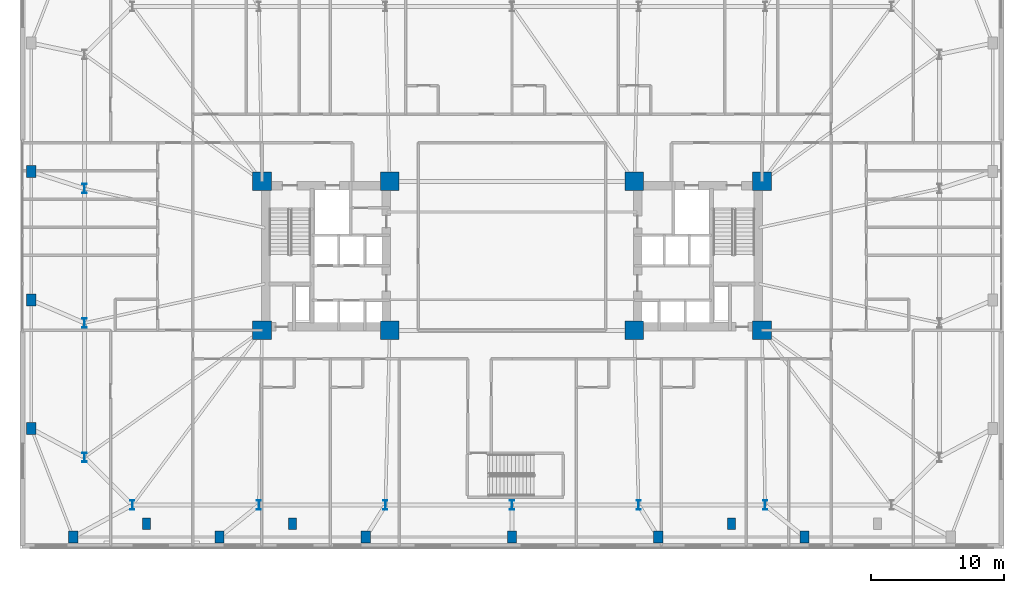
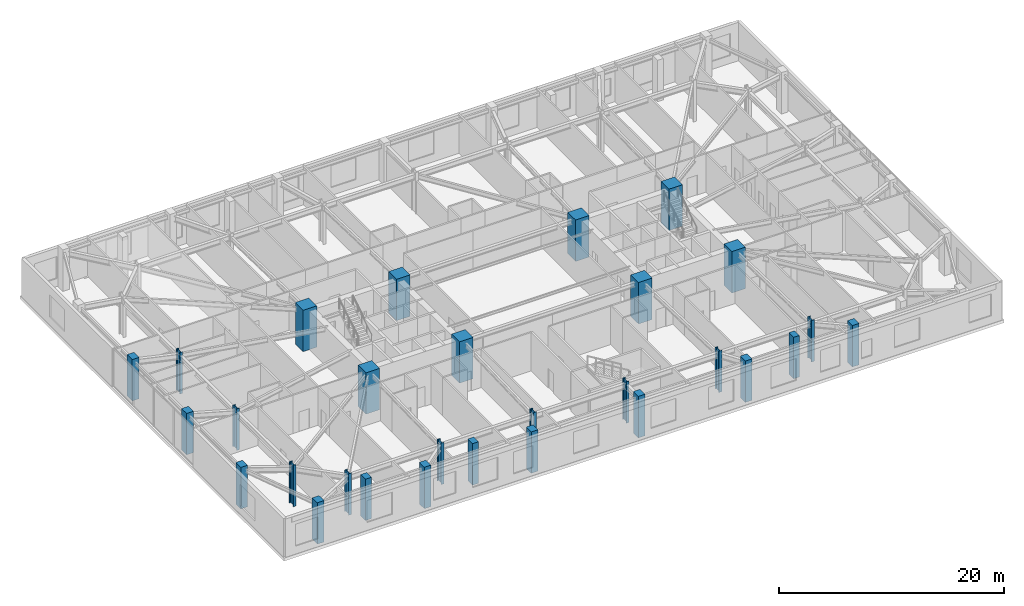
# One storey, part 1 of 21: 29 columns.
"""IFC4 building model written with IfcOpenShell, lengths in metres."""

import ifcopenshell
import ifcopenshell.guid

model = None  # the IFC model being written
_history = None  # IfcOwnerHistory: only IFC2X3 demands one
_inside = {}  # id of a spatial element -> (the spatial element, [elements in it])
_under = {}  # id of a project, library or spatial element -> (it, [spatial elements below it])
_declared = {}  # id of a project -> (the project, [libraries it declares])
_typed = {}  # id of a type object -> (the type object, [elements of that type])
_made_of = {}  # id of a material, layer set ... -> (it, [elements and type objects made of it])


def new_model(schema):
    """Start an empty IFC model of exactly this schema.

    Asked for "IFC4X3", IfcOpenShell would pick the latest addendum, in which some entities
    have other attributes; the version numbers below select the first issue.
    IFC2X3 requires an IfcOwnerHistory on every rooted entity: one is made here for all.
    """
    global model, _history
    if schema == "IFC4X3":
        model = ifcopenshell.file(schema_version=(4, 3, 0, 0))
    else:
        model = ifcopenshell.file(schema=schema)
    _inside.clear()
    _under.clear()
    _declared.clear()
    _typed.clear()
    _made_of.clear()
    _history = None
    if model.schema == "IFC2X3":
        org = make("IfcOrganization", Name="unknown")
        user = make(
            "IfcPersonAndOrganization",
            ThePerson=make("IfcPerson", FamilyName="unknown"),
            TheOrganization=org,
        )
        app = make(
            "IfcApplication",
            ApplicationDeveloper=org,
            Version="unknown",
            ApplicationFullName="unknown",
            ApplicationIdentifier="unknown",
        )
        _history = make(
            "IfcOwnerHistory",
            OwningUser=user,
            OwningApplication=app,
            ChangeAction="ADDED",
            CreationDate=0,
        )
    return model


def make(cls, **values):
    """One entity of the class cls with the attributes given. An attribute that is None is left unset."""
    return model.create_entity(
        cls, **{name: value for name, value in values.items() if value is not None}
    )


def rooted(cls, **values):
    """An entity with a GlobalId (a new one), such as an element, a storey or a relation."""
    return make(cls, GlobalId=ifcopenshell.guid.new(), OwnerHistory=_history, **values)


def si_unit(unit_type, name, prefix=None):
    """IfcSIUnit, for example si_unit("LENGTHUNIT", "METRE", prefix="MILLI")."""
    return make("IfcSIUnit", UnitType=unit_type, Prefix=prefix, Name=name)


def assignment(units):
    """IfcUnitAssignment: the units of a project."""
    return None if units is None else make("IfcUnitAssignment", Units=units)


def point(xyz):
    """IfcCartesianPoint."""
    return None if xyz is None else make("IfcCartesianPoint", Coordinates=xyz)


def direction(xyz):
    """IfcDirection."""
    return None if xyz is None else make("IfcDirection", DirectionRatios=xyz)


def frame(location, z_axis=None, x_axis=None):
    """IfcAxis2Placement3D, a coordinate frame: its origin and axes. An axis left out is left unset."""
    return make(
        "IfcAxis2Placement3D",
        Location=point(location),
        Axis=direction(z_axis),
        RefDirection=direction(x_axis),
    )


def frame_2d(location, x_axis=None):
    """IfcAxis2Placement2D, a coordinate frame in the plane: its origin and x axis."""
    return make(
        "IfcAxis2Placement2D", Location=point(location), RefDirection=direction(x_axis)
    )


def origin():
    """The frame at (0, 0, 0) with its axes left unset."""
    return frame((0.0, 0.0, 0.0))


def origin_2d():
    """The frame at (0, 0) in the plane with its x axis left unset."""
    return frame_2d((0.0, 0.0))


def place(relative_to, where):
    """IfcLocalPlacement: puts the frame where relative to a parent placement (None: the world)."""
    return make(
        "IfcLocalPlacement", PlacementRelTo=relative_to, RelativePlacement=where
    )


def context(
    kind, dimensions, precision=None, world=None, true_north=None, identifier=None
):
    """IfcGeometricRepresentationContext, for example the 3D "Model" context."""
    return make(
        "IfcGeometricRepresentationContext",
        ContextIdentifier=identifier,
        ContextType=kind,
        CoordinateSpaceDimension=dimensions,
        Precision=precision,
        WorldCoordinateSystem=world,
        TrueNorth=true_north,
    )


def subcontext(parent, identifier, kind, view, scale=None):
    """IfcGeometricRepresentationSubContext, for example "Body" below "Model"."""
    return make(
        "IfcGeometricRepresentationSubContext",
        ContextIdentifier=identifier,
        ContextType=kind,
        ParentContext=parent,
        TargetScale=scale,
        TargetView=view,
    )


def project(units=None, contexts=None):
    """IfcProject with its units and contexts."""
    return rooted(
        "IfcProject",
        Name="project",
        RepresentationContexts=contexts,
        UnitsInContext=assignment(units),
    )


def spatial(cls, under=None, at=None, **own):
    """A site, building, storey or space (cls), placed at a placement, below another one or the project."""
    s = rooted(cls, ObjectPlacement=at, **own)
    if under is not None:
        _under.setdefault(under.id(), (under, []))[1].append(s)
    return s


def profile(cls, at=None, kind="AREA", **sizes):
    """A parametric profile (cls). Its sizes go by their IFC names, for example OverallWidth=200.0."""
    return make(cls, ProfileType=kind, Position=at, **sizes)


def rectangle(**sizes):
    """IfcRectangleProfileDef."""
    return profile("IfcRectangleProfileDef", **sizes)


def i_section(**sizes):
    """IfcIShapeProfileDef."""
    return profile("IfcIShapeProfileDef", **sizes)


def extrude(swept, where, along, depth):
    """IfcExtrudedAreaSolid: the profile swept, set in the frame where, extruded along a direction by depth."""
    return make(
        "IfcExtrudedAreaSolid",
        SweptArea=swept,
        Position=where,
        ExtrudedDirection=direction(along),
        Depth=depth,
    )


def shape(context_of_items, identifier, shape_type, items):
    """IfcShapeRepresentation: the items that make up one representation, for example the "Body"."""
    return make(
        "IfcShapeRepresentation",
        ContextOfItems=context_of_items,
        RepresentationIdentifier=identifier,
        RepresentationType=shape_type,
        Items=items,
    )


def material(Name=None, Category=None):
    """IfcMaterial."""
    return make("IfcMaterial", Name=Name, Category=Category)


def material_profile(
    of_material, cross_section, Name=None, Category=None, Priority=None
):
    """IfcMaterialProfile: a cross section and its material."""
    return make(
        "IfcMaterialProfile",
        Name=Name,
        Material=of_material,
        Profile=cross_section,
        Priority=Priority,
        Category=Category,
    )


def profile_set(profiles, Name=None, composite=None):
    """IfcMaterialProfileSet."""
    return make(
        "IfcMaterialProfileSet",
        Name=Name,
        MaterialProfiles=profiles,
        CompositeProfile=composite,
    )


def made_of(thing, what):
    """Note that an element or type object is made of a material, layer set ...; save() writes the relation."""
    if what is not None:
        _made_of.setdefault(what.id(), (what, []))[1].append(thing)
    return thing


def type_object(cls, material=None, **own):
    """A type object (cls), such as IfcWallType, which elements share."""
    return made_of(rooted(cls, **own), material)


def element(
    cls,
    number,
    at=None,
    inside=None,
    cuts=None,
    type_object=None,
    material=None,
    context=None,
    identifier="Body",
    shape_type=None,
    held_by="IfcProductDefinitionShape",
    body=None,
    shapes=None,
    **own,
):
    """One element of the class cls, such as IfcWall. Its Tag is "e" and its number.

    at: its placement. inside: the storey or other place that contains it. cuts: it is an
    opening in that element (IfcRelVoidsElement). A single representation is given by context,
    identifier, shape_type and body (its items); several are given by shapes. held_by: the class
    of the entity that holds the representations. save() writes the other relations.
    """
    e = rooted(cls, Tag="e%d" % number, ObjectPlacement=at, **own)
    if body is not None:
        shapes = [shape(context, identifier, shape_type, body)]
    if shapes is not None:
        e.Representation = make(held_by, Representations=shapes)
    if inside is not None:
        _inside.setdefault(inside.id(), (inside, []))[1].append(e)
    if cuts is not None:
        rooted(
            "IfcRelVoidsElement", RelatingBuildingElement=cuts, RelatedOpeningElement=e
        )
    if type_object is not None:
        _typed.setdefault(type_object.id(), (type_object, []))[1].append(e)
    return made_of(e, material)


def aggregate(whole, parts):
    """IfcRelAggregates: a whole, such as a stair, and the parts it consists of."""
    return rooted("IfcRelAggregates", RelatingObject=whole, RelatedObjects=parts)


def save(model, path):
    """Write the relations noted so far, then the file.

    IfcRelAggregates (storeys below a building ...), IfcRelContainedInSpatialStructure (elements
    in a storey), IfcRelDefinesByType, IfcRelAssociatesMaterial and IfcRelDeclares: one each for
    every whole, place, type object, material and project.
    """
    for whole, parts in _under.values():
        aggregate(whole, parts)
    for where, things in _inside.values():
        rooted(
            "IfcRelContainedInSpatialStructure",
            RelatedElements=things,
            RelatingStructure=where,
        )
    for kind, things in _typed.values():
        rooted("IfcRelDefinesByType", RelatedObjects=things, RelatingType=kind)
    for what, things in _made_of.values():
        rooted("IfcRelAssociatesMaterial", RelatedObjects=things, RelatingMaterial=what)
    for by, libraries in _declared.values():
        rooted("IfcRelDeclares", RelatingContext=by, RelatedDefinitions=libraries)
    model.write(path)


model = new_model("IFC4")

# Units and contexts
model_context = context("Model", 3, precision=1e-05, world=origin(), true_north=direction((0.0, 1.0)))
body_context = subcontext(model_context, "Body", "Model", "MODEL_VIEW")
ifc_project = project(units=[si_unit("LENGTHUNIT", "METRE"), si_unit("AREAUNIT", "SQUARE_METRE"), si_unit("VOLUMEUNIT", "CUBIC_METRE"), si_unit("PLANEANGLEUNIT", "RADIAN"), si_unit("MASSUNIT", "GRAM", prefix="KILO")], contexts=[model_context])

# Site, building, storey
site_placement = place(None, origin())
site = spatial("IfcSite", under=ifc_project, at=site_placement, CompositionType="ELEMENT")
building_placement = place(site_placement, origin())
building = spatial("IfcBuilding", under=site, at=building_placement, Name="Qobustan Lattice House", CompositionType="ELEMENT")
storey_placement = place(building_placement, frame((0.0, 0.0, 18.0)))
storey = spatial("IfcBuildingStorey", under=building, at=storey_placement, Name="L04", CompositionType="ELEMENT", Elevation=18.0)

# Columns
ifc_material_1 = material(Name="Concrete C50/60", Category="concrete")
ifc_material_profile_1 = material_profile(ifc_material_1, rectangle(XDim=0.60009765625, YDim=0.85009765625, at=origin_2d()), Name="RC600x850")
ifc_profile_set_1 = profile_set([ifc_material_profile_1], Name="Concrete C50/60")
column_type_1 = type_object("IfcColumnType", Name="COL-PIL-600x850", PredefinedType="PILASTER", material=ifc_profile_set_1)
for number, where, z_axis, x_axis, name in (
    (1, (-27.5, -20.14990234375, 0.0), (0.0, 0.0, 1.0), (1.0, 0.0, 0.0), "L04 colonnade pilaster S1"),
    (2, (-16.5, -20.14990234375, 0.0), (0.0, 0.0, 1.0), (1.0, 0.0, 0.0), "L04 colonnade pilaster S2"),
    (3, (16.5, -20.14990234375, 0.0), (0.0, 0.0, 1.0), (1.0, 0.0, 0.0), "L04 colonnade pilaster S3"),
):
    element("IfcColumn", number, at=place(storey_placement, frame(where, z_axis=z_axis, x_axis=x_axis)), inside=storey, type_object=column_type_1, Name=name, PredefinedType="PILASTER", context=body_context, shape_type="SweptSolid", body=[
        extrude(rectangle(XDim=0.60009765625, YDim=0.85009765625, at=origin_2d()), origin(), (0.0, 0.0, 1.0), 4.5),
    ])
ifc_material_2 = material(Name="Concrete C60/75", Category="concrete")
ifc_material_profile_2 = material_profile(ifc_material_2, rectangle(XDim=1.39990234375, YDim=1.39990234375, at=origin_2d()), Name="RC1400x1400")
ifc_profile_set_2 = profile_set([ifc_material_profile_2], Name="Concrete C60/75")
column_type_2 = type_object("IfcColumnType", Name="COL-RC-1400", PredefinedType="COLUMN", material=ifc_profile_set_2)
for number, where, z_axis, x_axis, name in (
    (4, (-18.800048828125, -5.60009765625, 0.0), (0.0, 0.0, 1.0), (1.0, 0.0, 0.0), "L04 core mega-column CW-SW"),
    (5, (-18.800048828125, 5.60009765625, 0.0), (0.0, 0.0, 1.0), (1.0, 0.0, 0.0), "L04 core mega-column CW-NW"),
    (6, (-9.199951171875, -5.60009765625, 0.0), (0.0, 0.0, 1.0), (1.0, 0.0, 0.0), "L04 core mega-column CW-SE"),
    (7, (-9.199951171875, 5.60009765625, 0.0), (0.0, 0.0, 1.0), (1.0, 0.0, 0.0), "L04 core mega-column CW-NE"),
    (8, (9.199951171875, -5.60009765625, 0.0), (0.0, 0.0, 1.0), (1.0, 0.0, 0.0), "L04 core mega-column CE-SW"),
    (9, (9.199951171875, 5.60009765625, 0.0), (0.0, 0.0, 1.0), (1.0, 0.0, 0.0), "L04 core mega-column CE-NW"),
    (10, (18.800048828125, -5.60009765625, 0.0), (0.0, 0.0, 1.0), (1.0, 0.0, 0.0), "L04 core mega-column CE-SE"),
    (11, (18.800048828125, 5.60009765625, 0.0), (0.0, 0.0, 1.0), (1.0, 0.0, 0.0), "L04 core mega-column CE-NE"),
):
    element("IfcColumn", number, at=place(storey_placement, frame(where, z_axis=z_axis, x_axis=x_axis)), inside=storey, type_object=column_type_2, Name=name, PredefinedType="COLUMN", context=body_context, shape_type="SweptSolid", body=[
        extrude(rectangle(XDim=1.39990234375, YDim=1.39990234375, at=origin_2d()), origin(), (0.0, 0.0, 1.0), 4.5),
    ])
ifc_material_3 = material(Name="Concrete C50/60", Category="concrete")
ifc_material_profile_3 = material_profile(ifc_material_3, rectangle(XDim=0.699951171875, YDim=0.89990234375, at=origin_2d()), Name="RC700x900")
ifc_profile_set_3 = profile_set([ifc_material_profile_3], Name="Concrete C50/60")
column_type_3 = type_object("IfcColumnType", Name="COL-RC-700x900", PredefinedType="COLUMN", material=ifc_profile_set_3)
for number, where, z_axis, x_axis, name in (
    (12, (-33.0, -21.14990234375, 0.0), (0.0, 0.0, 1.0), (1.0, 0.0, 0.0), "L04 podium column PS1"),
    (13, (-22.0, -21.14990234375, 0.0), (0.0, 0.0, 1.0), (1.0, 0.0, 0.0), "L04 podium column PS2"),
    (14, (-11.0, -21.14990234375, 0.0), (0.0, 0.0, 1.0), (1.0, 0.0, 0.0), "L04 podium column PS3"),
    (15, (0.0, -21.14990234375, 0.0), (0.0, 0.0, 1.0), (1.0, 0.0, 0.0), "L04 podium column PS4"),
    (16, (11.0, -21.14990234375, 0.0), (0.0, 0.0, 1.0), (1.0, 0.0, 0.0), "L04 podium column PS5"),
    (17, (22.0, -21.14990234375, 0.0), (0.0, 0.0, 1.0), (1.0, 0.0, 0.0), "L04 podium column PS6"),
    (18, (-36.14990234375, -13.0, 0.0), (0.0, 0.0, 1.0), (1.0, 0.0, 0.0), "L04 podium column PW1"),
    (19, (-36.14990234375, -3.333251953125, 0.0), (0.0, 0.0, 1.0), (1.0, 0.0, 0.0), "L04 podium column PW2"),
    (20, (-36.14990234375, 6.33349609375, 0.0), (0.0, 0.0, 1.0), (1.0, 0.0, 0.0), "L04 podium column PW3"),
):
    element("IfcColumn", number, at=place(storey_placement, frame(where, z_axis=z_axis, x_axis=x_axis)), inside=storey, type_object=column_type_3, Name=name, PredefinedType="COLUMN", context=body_context, shape_type="SweptSolid", body=[
        extrude(rectangle(XDim=0.699951171875, YDim=0.89990234375, at=origin_2d()), origin(), (0.0, 0.0, 1.0), 4.5),
    ])
ifc_material_4 = material(Name="Steel S460", Category="steel")
ifc_material_profile_4 = material_profile(ifc_material_4, i_section(OverallWidth=0.303955078125, OverallDepth=0.716064453125, WebThickness=0.02099609375, FlangeThickness=0.0400390625, FilletRadius=0.027099609375, at=origin_2d()), Name="HEM700")
ifc_profile_set_4 = profile_set([ifc_material_profile_4], Name="Steel S460")
column_type_4 = type_object("IfcColumnType", Name="COL-ST-HEM700", PredefinedType="COLUMN", material=ifc_profile_set_4)
for number, where, z_axis, x_axis, name in (
    (21, (-28.550048828125, -18.75, 0.0), (0.0, 0.0, 1.0), (1.0, 0.0, 0.0), "L04 tower base column S1"),
    (22, (-19.033203125, -18.75, 0.0), (0.0, 0.0, 1.0), (1.0, 0.0, 0.0), "L04 tower base column S2"),
    (23, (-9.5166015625, -18.75, 0.0), (0.0, 0.0, 1.0), (1.0, 0.0, 0.0), "L04 tower base column S3"),
    (24, (0.0, -18.75, 0.0), (0.0, 0.0, 1.0), (1.0, 0.0, 0.0), "L04 tower base column S4"),
    (25, (9.5166015625, -18.75, 0.0), (0.0, 0.0, 1.0), (1.0, 0.0, 0.0), "L04 tower base column S5"),
    (26, (19.033203125, -18.75, 0.0), (0.0, 0.0, 1.0), (1.0, 0.0, 0.0), "L04 tower base column S6"),
    (27, (-32.14990234375, 5.050048828125, 0.0), (0.0, 0.0, 1.0), (1.0, 0.0, 0.0), "L04 tower base column W2"),
    (28, (-32.14990234375, -5.050048828125, 0.0), (0.0, 0.0, 1.0), (1.0, 0.0, 0.0), "L04 tower base column W3"),
    (29, (-32.14990234375, -15.14990234375, 0.0), (0.0, 0.0, 1.0), (1.0, 0.0, 0.0), "L04 tower base column W4"),
):
    element("IfcColumn", number, at=place(storey_placement, frame(where, z_axis=z_axis, x_axis=x_axis)), inside=storey, type_object=column_type_4, Name=name, PredefinedType="COLUMN", context=body_context, shape_type="SweptSolid", body=[
        extrude(i_section(OverallWidth=0.303955078125, OverallDepth=0.716064453125, WebThickness=0.02099609375, FlangeThickness=0.0400390625, FilletRadius=0.027099609375, at=origin_2d()), origin(), (0.0, 0.0, 1.0), 4.5),
    ])

save(model, "model.ifc")
